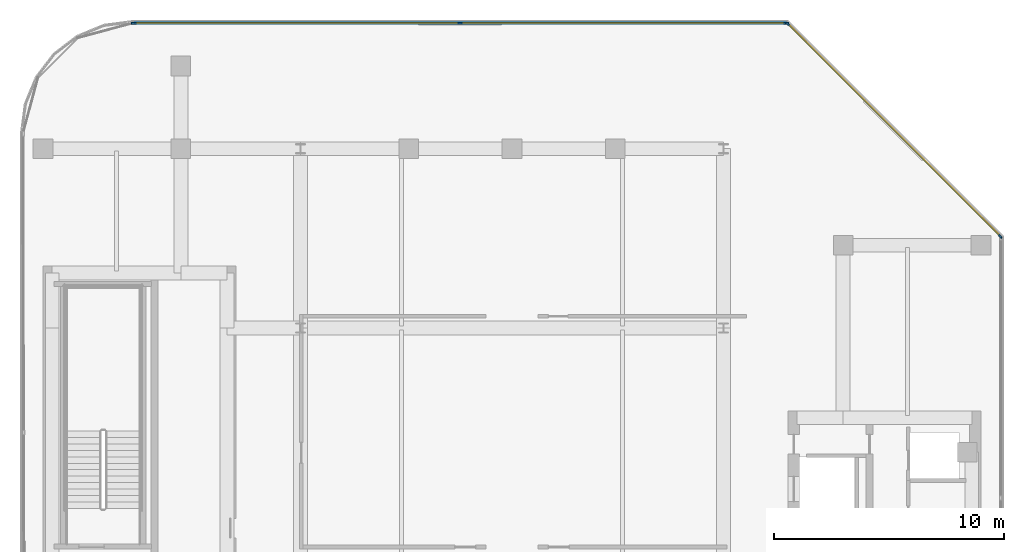
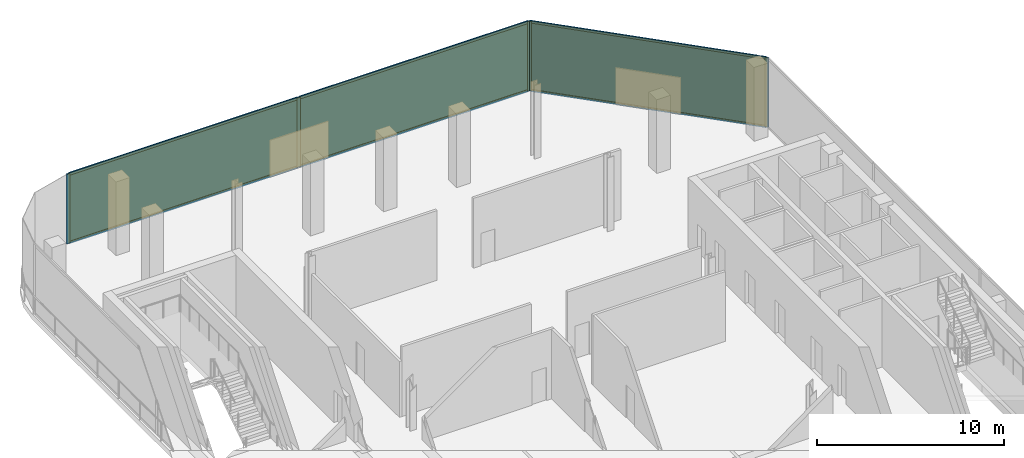
# One storey, part 8 of 13: 11 members, 3 plates, 2 curtain walls.
"""IFC4 building model written with IfcOpenShell, lengths in metres."""

from ifc_helpers import new_model, si_unit, direction, frame, frame_2d, origin, origin_2d, place, context, subcontext, project, spatial, rectangle, extrude, material, layer, layer_set, material_profile, profile_set, type_object, element, aggregate, save


model = new_model("IFC4")

# Units and contexts
model_context = context("Model", 3, precision=1e-05, world=origin(), true_north=direction((0.0, 1.0)))
body_context = subcontext(model_context, "Body", "Model", "MODEL_VIEW")
ifc_project = project(units=[si_unit("LENGTHUNIT", "METRE"), si_unit("AREAUNIT", "SQUARE_METRE"), si_unit("VOLUMEUNIT", "CUBIC_METRE"), si_unit("PLANEANGLEUNIT", "RADIAN"), si_unit("MASSUNIT", "GRAM", prefix="KILO")], contexts=[model_context])

# Member
ifc_material_1 = material(Name="Anodised Bronze Aluminium 6063-T6", Category="aluminium")
ifc_material_profile_1 = material_profile(ifc_material_1, rectangle(XDim=0.074951171875, YDim=0.2099609375, at=origin_2d()))
ifc_profile_set_1 = profile_set([ifc_material_profile_1], Name="Anodised Bronze Aluminium 6063-T6")
member_type_1 = type_object("IfcMemberType", Name="CW-CRN Mullion 75x210", PredefinedType="MULLION", material=ifc_profile_set_1)
site_placement = place(None, origin())
building_placement = place(site_placement, origin())
storey_placement = place(building_placement, frame((0.0, 0.0, 272.800048828125)))
member_1_placement = place(storey_placement, frame((-16.453369140625, 24.06005859375, 0.0), z_axis=(0.0, 0.0, 1.0), x_axis=(0.0, 1.0, 0.0)))
member_1 = element("IfcMember", 1, at=member_1_placement, type_object=member_type_1, Name="CW-CRN mullion 1", PredefinedType="MULLION", context=body_context, shape_type="SweptSolid", body=[
    extrude(rectangle(XDim=0.074951171875, YDim=0.2099609375, at=origin_2d()), origin(), (0.0, 0.0, 1.0), 4.5400390625),
])

member_2_placement = place(storey_placement, frame((-2.264404296875, 24.06005859375, 0.0), z_axis=(0.0, 0.0, 1.0), x_axis=(0.0, 1.0, 0.0)))
member_2 = element("IfcMember", 2, at=member_2_placement, type_object=member_type_1, Name="CW-CRN mullion 2", PredefinedType="MULLION", context=body_context, shape_type="SweptSolid", body=[
    extrude(rectangle(XDim=0.074951171875, YDim=0.2099609375, at=origin_2d()), origin(), (0.0, 0.0, 1.0), 4.5400390625),
])

member_3_placement = place(storey_placement, frame((11.924560546875, 24.06005859375, 0.0), z_axis=(0.0, 0.0, 1.0), x_axis=(0.0, 1.0, 0.0)))
member_3 = element("IfcMember", 3, at=member_3_placement, type_object=member_type_1, Name="CW-CRN mullion 3", PredefinedType="MULLION", context=body_context, shape_type="SweptSolid", body=[
    extrude(rectangle(XDim=0.074951171875, YDim=0.2099609375, at=origin_2d()), origin(), (0.0, 0.0, 1.0), 4.5400390625),
])

ifc_material_2 = material(Name="Anodised Bronze Aluminium 6063-T6", Category="aluminium")
ifc_material_profile_2 = material_profile(ifc_material_2, rectangle(XDim=0.074951171875, YDim=0.1650390625, at=origin_2d()))
ifc_profile_set_2 = profile_set([ifc_material_profile_2], Name="Anodised Bronze Aluminium 6063-T6")
member_type_2 = type_object("IfcMemberType", Name="CW-CRN Transom 75x165", PredefinedType="USERDEFINED", material=ifc_profile_set_2)
member_4_placement = place(storey_placement, frame((-16.415771484375, 24.06005859375, 0.037353515625), z_axis=(1.0, 0.0, 0.0), x_axis=(0.0, 1.0, 0.0)))
member_4 = element("IfcMember", 4, at=member_4_placement, type_object=member_type_2, Name="CW-CRN transom 1.1", ObjectType="TRANSOM", PredefinedType="USERDEFINED", context=body_context, shape_type="SweptSolid", body=[
    extrude(rectangle(XDim=0.074951171875, YDim=0.1650390625, at=origin_2d()), origin(), (0.0, 0.0, 1.0), 14.11376953125),
])

member_5_placement = place(storey_placement, frame((-16.415771484375, 24.06005859375, 4.50244140625), z_axis=(1.0, 0.0, 0.0), x_axis=(0.0, 1.0, 0.0)))
member_5 = element("IfcMember", 5, at=member_5_placement, type_object=member_type_2, Name="CW-CRN transom 1.2", ObjectType="TRANSOM", PredefinedType="USERDEFINED", context=body_context, shape_type="SweptSolid", body=[
    extrude(rectangle(XDim=0.074951171875, YDim=0.1650390625, at=origin_2d()), origin(), (0.0, 0.0, 1.0), 14.11376953125),
])

member_6_placement = place(storey_placement, frame((-2.226806640625, 24.06005859375, 0.037353515625), z_axis=(1.0, 0.0, 0.0), x_axis=(0.0, 1.0, 0.0)))
member_6 = element("IfcMember", 6, at=member_6_placement, type_object=member_type_2, Name="CW-CRN transom 2.1", ObjectType="TRANSOM", PredefinedType="USERDEFINED", context=body_context, shape_type="SweptSolid", body=[
    extrude(rectangle(XDim=0.074951171875, YDim=0.1650390625, at=origin_2d()), origin(), (0.0, 0.0, 1.0), 14.11376953125),
])

member_7_placement = place(storey_placement, frame((-2.226806640625, 24.06005859375, 4.50244140625), z_axis=(1.0, 0.0, 0.0), x_axis=(0.0, 1.0, 0.0)))
member_7 = element("IfcMember", 7, at=member_7_placement, type_object=member_type_2, Name="CW-CRN transom 2.2", ObjectType="TRANSOM", PredefinedType="USERDEFINED", context=body_context, shape_type="SweptSolid", body=[
    extrude(rectangle(XDim=0.074951171875, YDim=0.1650390625, at=origin_2d()), origin(), (0.0, 0.0, 1.0), 14.11376953125),
])

ifc_material_3 = material(Name="Anodised Bronze Aluminium 6063-T6", Category="aluminium")
ifc_material_profile_3 = material_profile(ifc_material_3, rectangle(XDim=0.070068359375, YDim=0.18994140625, at=origin_2d()))
ifc_profile_set_3 = profile_set([ifc_material_profile_3], Name="Anodised Bronze Aluminium 6063-T6")
member_type_3 = type_object("IfcMemberType", Name="CW-SLC Mullion 70x190", PredefinedType="MULLION", material=ifc_profile_set_3)
member_8_placement = place(storey_placement, frame((11.98681640625, 24.03515625, 0.0), z_axis=(0.0, 0.0, 1.0), x_axis=(0.707106781187, 0.707106781187, 0.0)))
member_8 = element("IfcMember", 8, at=member_8_placement, type_object=member_type_3, Name="CW-SLC mullion 1", PredefinedType="MULLION", context=body_context, shape_type="SweptSolid", body=[
    extrude(rectangle(XDim=0.070068359375, YDim=0.18994140625, at=origin_2d()), origin(), (0.0, 0.0, 1.0), 4.5400390625),
])

member_9_placement = place(storey_placement, frame((21.2353515625, 14.786865234375, 0.0), z_axis=(0.0, 0.0, 1.0), x_axis=(0.707106781187, 0.707106781187, 0.0)))
member_9 = element("IfcMember", 9, at=member_9_placement, type_object=member_type_3, Name="CW-SLC mullion 2", PredefinedType="MULLION", context=body_context, shape_type="SweptSolid", body=[
    extrude(rectangle(XDim=0.070068359375, YDim=0.18994140625, at=origin_2d()), origin(), (0.0, 0.0, 1.0), 4.5400390625),
])

ifc_material_4 = material(Name="Anodised Bronze Aluminium 6063-T6", Category="aluminium")
ifc_material_profile_4 = material_profile(ifc_material_4, rectangle(XDim=0.070068359375, YDim=0.14990234375, at=origin_2d()))
ifc_profile_set_4 = profile_set([ifc_material_profile_4], Name="Anodised Bronze Aluminium 6063-T6")
member_type_4 = type_object("IfcMemberType", Name="CW-SLC Transom 70x150", PredefinedType="USERDEFINED", material=ifc_profile_set_4)
member_10_placement = place(storey_placement, frame((12.011474609375, 24.010498046875, 0.034912109375), z_axis=(0.707106781187, -0.707106781187, 0.0), x_axis=(0.707106781187, 0.707106781187, 0.0)))
member_10 = element("IfcMember", 10, at=member_10_placement, type_object=member_type_4, Name="CW-SLC transom 1.1", ObjectType="TRANSOM", PredefinedType="USERDEFINED", context=body_context, shape_type="SweptSolid", body=[
    extrude(rectangle(XDim=0.070068359375, YDim=0.14990234375, at=origin_2d()), origin(), (0.0, 0.0, 1.0), 13.00927734375),
])

member_11_placement = place(storey_placement, frame((12.011474609375, 24.010498046875, 4.5048828125), z_axis=(0.707106781187, -0.707106781187, 0.0), x_axis=(0.707106781187, 0.707106781187, 0.0)))
member_11 = element("IfcMember", 11, at=member_11_placement, type_object=member_type_4, Name="CW-SLC transom 1.2", ObjectType="TRANSOM", PredefinedType="USERDEFINED", context=body_context, shape_type="SweptSolid", body=[
    extrude(rectangle(XDim=0.070068359375, YDim=0.14990234375, at=origin_2d()), origin(), (0.0, 0.0, 1.0), 13.00927734375),
])

# Plate
ifc_material_5 = material(Name="Low-E Solar Control Laminated Glass", Category="glass")
ifc_layer_1 = layer(ifc_material_5, 0.035888671875, Name="Low-E Solar Control Laminated Glass")
ifc_layer_set_1 = layer_set([ifc_layer_1], Name="Low-E Solar Control Laminated Glass")
plate_type_1 = type_object("IfcPlateType", Name="CW-CRN Low-E Double Glazed Panel 36mm", PredefinedType="CURTAIN_PANEL", material=ifc_layer_set_1)
plate_1_placement = place(storey_placement, frame((-9.35888671875, 24.06005859375, 0.0751953125), z_axis=(0.0, 0.0, 1.0), x_axis=(1.0, 0.0, 0.0)))
plate_1 = element("IfcPlate", 12, at=plate_1_placement, type_object=plate_type_1, Name="CW-CRN panel 1.1", PredefinedType="CURTAIN_PANEL", context=body_context, shape_type="SweptSolid", body=[
    extrude(rectangle(XDim=14.114013671875, YDim=0.035888671875, at=origin_2d()), origin(), (0.0, 0.0, 1.0), 4.389892578125),
])

plate_2_placement = place(storey_placement, frame((4.830078125, 24.06005859375, 0.0751953125), z_axis=(0.0, 0.0, 1.0), x_axis=(1.0, 0.0, 0.0)))
plate_2 = element("IfcPlate", 13, at=plate_2_placement, type_object=plate_type_1, Name="CW-CRN panel 2.1", PredefinedType="CURTAIN_PANEL", context=body_context, shape_type="SweptSolid", body=[
    extrude(rectangle(XDim=14.114013671875, YDim=0.035888671875, at=origin_2d()), origin(), (0.0, 0.0, 1.0), 4.389892578125),
])

ifc_material_6 = material(Name="Low-E Solar Control Laminated Glass", Category="glass")
ifc_layer_2 = layer(ifc_material_6, 0.033935546875, Name="Low-E Solar Control Laminated Glass")
ifc_layer_set_2 = layer_set([ifc_layer_2], Name="Low-E Solar Control Laminated Glass")
plate_type_2 = type_object("IfcPlateType", Name="CW-SLC Low-E Double Glazed Panel 34mm", PredefinedType="CURTAIN_PANEL", material=ifc_layer_set_2)
plate_3_placement = place(storey_placement, frame((16.611083984375, 19.410888671875, 0.070068359375), z_axis=(0.0, 0.0, 1.0), x_axis=(0.707106781187, -0.707106781187, 0.0)))
plate_3 = element("IfcPlate", 14, at=plate_3_placement, type_object=plate_type_2, Name="CW-SLC panel 1.1", PredefinedType="CURTAIN_PANEL", context=body_context, shape_type="SweptSolid", body=[
    extrude(rectangle(XDim=13.00927734375, YDim=0.033935546875, at=origin_2d()), origin(), (0.0, 0.0, 1.0), 4.39990234375),
])

# Site, building, storey
site = spatial("IfcSite", under=ifc_project, at=site_placement, CompositionType="ELEMENT")
building = spatial("IfcBuilding", under=site, at=building_placement, Name="Khairoan Windgate Tower", CompositionType="ELEMENT")
storey = spatial("IfcBuildingStorey", under=building, at=storey_placement, Name="L65", CompositionType="ELEMENT", Elevation=272.800048828125)

# Curtain wall
ifc_material_7 = material(Name="Anodised Bronze Aluminium 6063-T6", Category="aluminium")
ifc_layer_3 = layer(ifc_material_7, 0.2099609375, Name="Anodised Bronze Aluminium 6063-T6")
ifc_layer_set_3 = layer_set([ifc_layer_3], Name="Anodised Bronze Aluminium 6063-T6")
curtain_wall_type_1 = type_object("IfcCurtainWallType", Name="Crown Observation and Vitrine Curtain Wall CW-CRN", PredefinedType="NOTDEFINED", material=ifc_layer_set_3)
curtain_wall_1_placement = place(storey_placement, frame((-16.49072265625, 24.06005859375, 0.0), z_axis=(0.0, 0.0, 1.0), x_axis=(1.0, 0.0, 0.0)))
curtain_wall_1 = element("IfcCurtainWall", 15, at=curtain_wall_1_placement, inside=storey, type_object=curtain_wall_type_1, Name="L65 Unitised Curtain Wall 8", PredefinedType="NOTDEFINED", context=body_context, shape_type="SweptSolid", body=[
    extrude(rectangle(XDim=28.45263671875, YDim=0.010009765625, at=frame_2d((14.226318359375, 0.0))), origin(), (0.0, 0.0, 1.0), 4.5400390625),
])

aggregate(curtain_wall_1, [member_1, member_2, member_3, member_4, member_5, plate_1, member_6, member_7, plate_2])

ifc_material_8 = material(Name="Anodised Bronze Aluminium 6063-T6", Category="aluminium")
ifc_layer_4 = layer(ifc_material_8, 0.18994140625, Name="Anodised Bronze Aluminium 6063-T6")
ifc_layer_set_4 = layer_set([ifc_layer_4], Name="Anodised Bronze Aluminium 6063-T6")
curtain_wall_type_2 = type_object("IfcCurtainWallType", Name="Diagonal Corner-Slice Facet Curtain Wall CW-SLC", PredefinedType="NOTDEFINED", material=ifc_layer_set_4)
curtain_wall_2_placement = place(storey_placement, frame((11.9619140625, 24.06005859375, 0.0), z_axis=(0.0, 0.0, 1.0), x_axis=(0.707106781187, -0.707106781187, 0.0)))
curtain_wall_2 = element("IfcCurtainWall", 16, at=curtain_wall_2_placement, inside=storey, type_object=curtain_wall_type_2, Name="L65 Crystal Slice Curtain Wall 9", PredefinedType="NOTDEFINED", context=body_context, shape_type="SweptSolid", body=[
    extrude(rectangle(XDim=13.1494140625, YDim=0.010009765625, at=frame_2d((6.57470703125, 0.0))), origin(), (0.0, 0.0, 1.0), 4.5400390625),
])

aggregate(curtain_wall_2, [member_8, member_9, member_10, member_11, plate_3])

save(model, "model.ifc")
